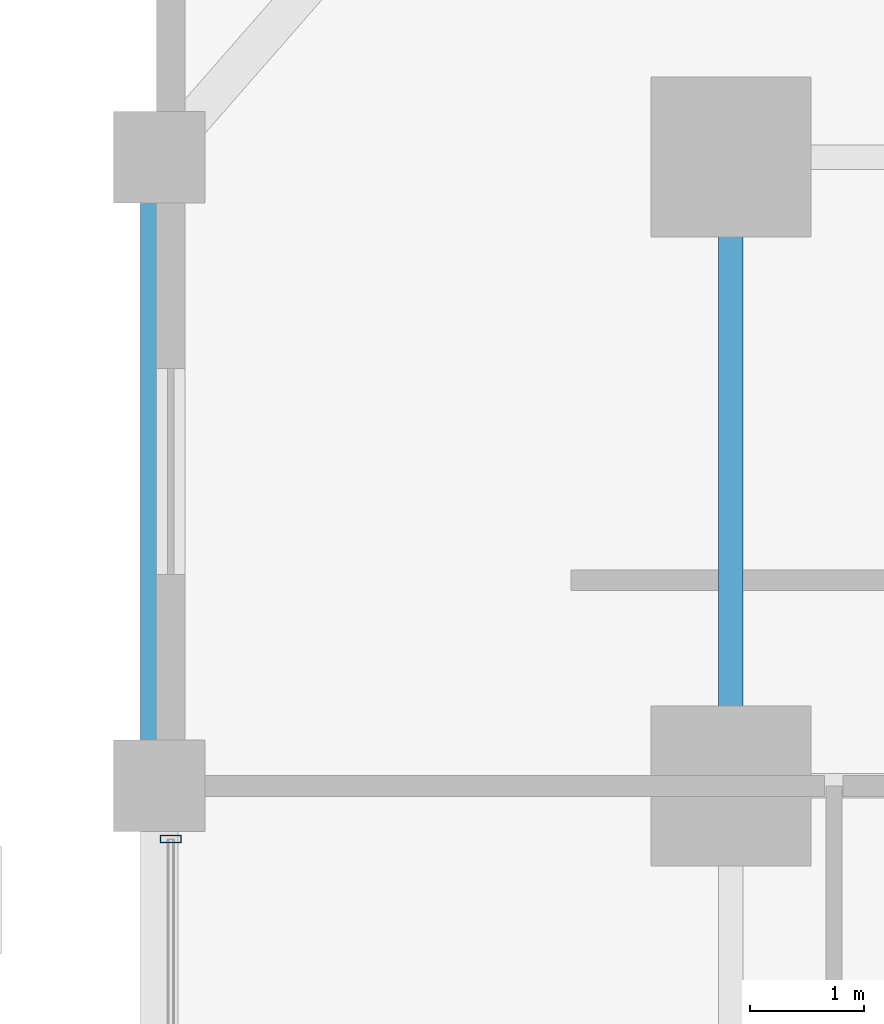
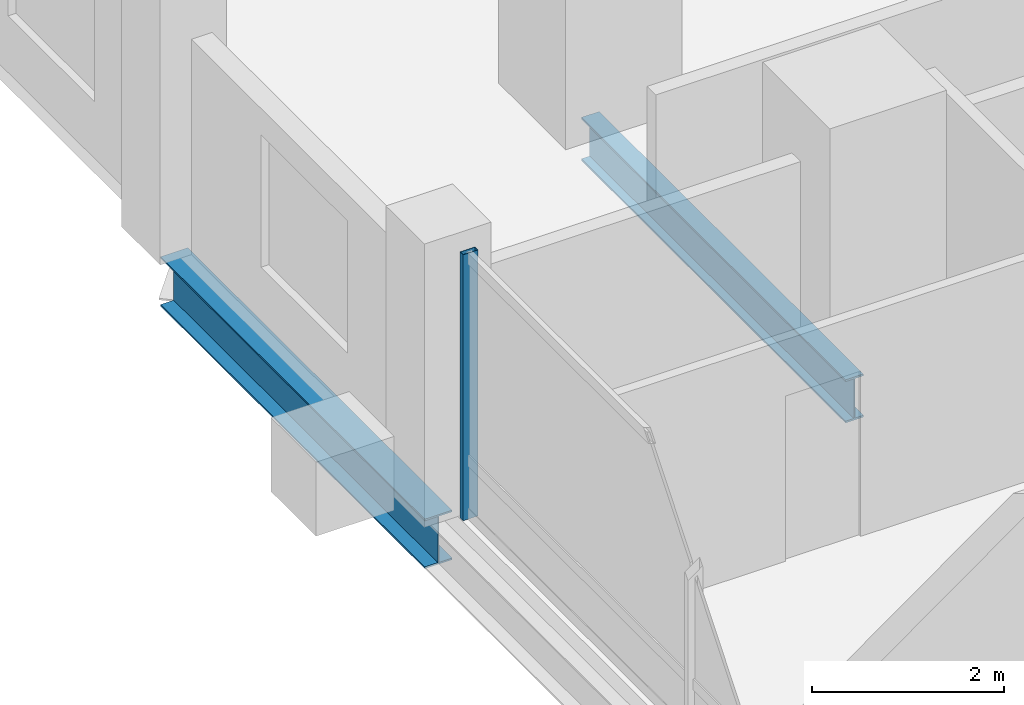
# One storey, part 11 of 23: 2 beams, 1 member, 1 element without a shape of its own.
"""IFC4 building model written with IfcOpenShell, lengths in metres."""

from ifc_helpers import new_model, si_unit, direction, frame, origin, origin_2d, place, context, subcontext, project, spatial, hollow_rectangle, i_section, extrude, material, layer, layer_set, material_profile, profile_set, type_object, element, aggregate, save


model = new_model("IFC4")

# Units and contexts
model_context = context("Model", 3, precision=1e-05, world=origin(), true_north=direction((0.0, 1.0)))
body_context = subcontext(model_context, "Body", "Model", "MODEL_VIEW")
ifc_project = project(units=[si_unit("LENGTHUNIT", "METRE"), si_unit("AREAUNIT", "SQUARE_METRE"), si_unit("VOLUMEUNIT", "CUBIC_METRE"), si_unit("PLANEANGLEUNIT", "RADIAN"), si_unit("MASSUNIT", "GRAM", prefix="KILO")], contexts=[model_context])

# Site, building, storey
site_placement = place(None, origin())
site = spatial("IfcSite", under=ifc_project, at=site_placement, CompositionType="ELEMENT")
building_placement = place(site_placement, origin())
building = spatial("IfcBuilding", under=site, at=building_placement, Name="Barlavira Tower and Art Museum", CompositionType="ELEMENT")
storey_placement = place(building_placement, frame((0.0, 0.0, 54.0)))
storey = spatial("IfcBuildingStorey", under=building, at=storey_placement, Name="L12", CompositionType="ELEMENT", Elevation=54.0)

# Curtain wall, member
ifc_material_1 = material(Name="Low-iron coastal laminated glass", Category="glass")
ifc_layer = layer(ifc_material_1, 0.179931640625, Name="Low-iron coastal laminated glass")
ifc_layer_set = layer_set([ifc_layer], Name="Low-iron coastal laminated glass")
curtain_wall_type = type_object("IfcCurtainWallType", Name="Pale-Metal Unitised Curtain Wall Zone 1", PredefinedType="NOTDEFINED", material=ifc_layer_set)
curtain_wall_placement = place(storey_placement, origin())
curtain_wall = element("IfcCurtainWall", 1, at=curtain_wall_placement, inside=storey, type_object=curtain_wall_type, Name="L12 Curtain Wall CW1-L12-W-B3", PredefinedType="NOTDEFINED")
ifc_material_2 = material(Name="Pale anodised aluminium", Category="aluminium")
ifc_material_profile_1 = material_profile(ifc_material_2, hollow_rectangle(XDim=0.06494140625, YDim=0.179931640625, WallThickness=0.00390625, at=origin_2d()), Name="ALU-MULL 65x180x4")
ifc_profile_set_1 = profile_set([ifc_material_profile_1], Name="Pale anodised aluminium")
member_type = type_object("IfcMemberType", Name="Curtain Wall Pale-Metal Mullion 65x180", PredefinedType="MULLION", material=ifc_profile_set_1)
member_placement = place(storey_placement, frame((-21.89990234375, 7.034912109375, 0.0), z_axis=(0.0, 0.0, 1.0), x_axis=(0.0, -1.0, 0.0)))
member = element("IfcMember", 2, at=member_placement, type_object=member_type, Name="CW1-L12-W-B3 Mullion 0", PredefinedType="MULLION", context=body_context, shape_type="SweptSolid", body=[
    extrude(hollow_rectangle(XDim=0.06494140625, YDim=0.179931640625, WallThickness=0.00390625, at=origin_2d()), origin(), (0.0, 0.0, 1.0), 3.3798828125),
])
aggregate(curtain_wall, [member])

# Beams
ifc_material_3 = material(Name="Steel S355", Category="steel")
ifc_material_profile_2 = material_profile(ifc_material_3, i_section(OverallWidth=0.327880859375, OverallDepth=0.62890625, WebThickness=0.013916015625, FlangeThickness=0.021484375, at=origin_2d()), Name="W610x174.0")
ifc_profile_set_2 = profile_set([ifc_material_profile_2], Name="Steel S355")
beam_type_1 = type_object("IfcBeamType", Name="Perimeter Spandrel Edge Beam W610x174 Steel S355", PredefinedType="SPANDREL", material=ifc_profile_set_2)
beam_1_placement = place(storey_placement, frame((-22.0, 7.5, -0.534423828125), z_axis=(0.0, 1.0, 0.0), x_axis=(-1.0, 0.0, 0.0)))
element("IfcBeam", 3, at=beam_1_placement, inside=storey, type_object=beam_type_1, Name="L12 Spandrel 13", PredefinedType="SPANDREL", context=body_context, shape_type="SweptSolid", body=[
    extrude(i_section(OverallWidth=0.327880859375, OverallDepth=0.62890625, WebThickness=0.013916015625, FlangeThickness=0.021484375, at=origin_2d()), origin(), (0.0, 0.0, 1.0), 5.5),
])
ifc_material_profile_3 = material_profile(ifc_material_3, i_section(OverallWidth=0.214111328125, OverallDepth=0.549072265625, WebThickness=0.0146484375, FlangeThickness=0.023681640625, at=origin_2d()), Name="W530x138.0")
ifc_profile_set_3 = profile_set([ifc_material_profile_3], Name="Steel S355")
beam_type_2 = type_object("IfcBeamType", Name="Zone 1 Primary Floor Girder W530x138 Steel S355", PredefinedType="BEAM", material=ifc_profile_set_3)
beam_2_placement = place(storey_placement, frame((-17.0, 7.5, -0.494384765625), z_axis=(0.0, 1.0, 0.0), x_axis=(-1.0, 0.0, 0.0)))
element("IfcBeam", 4, at=beam_2_placement, inside=storey, type_object=beam_type_2, Name="L12 Girder M-W3", PredefinedType="BEAM", context=body_context, shape_type="SweptSolid", body=[
    extrude(i_section(OverallWidth=0.214111328125, OverallDepth=0.549072265625, WebThickness=0.0146484375, FlangeThickness=0.023681640625, at=origin_2d()), origin(), (0.0, 0.0, 1.0), 5.5),
])

save(model, "model.ifc")
